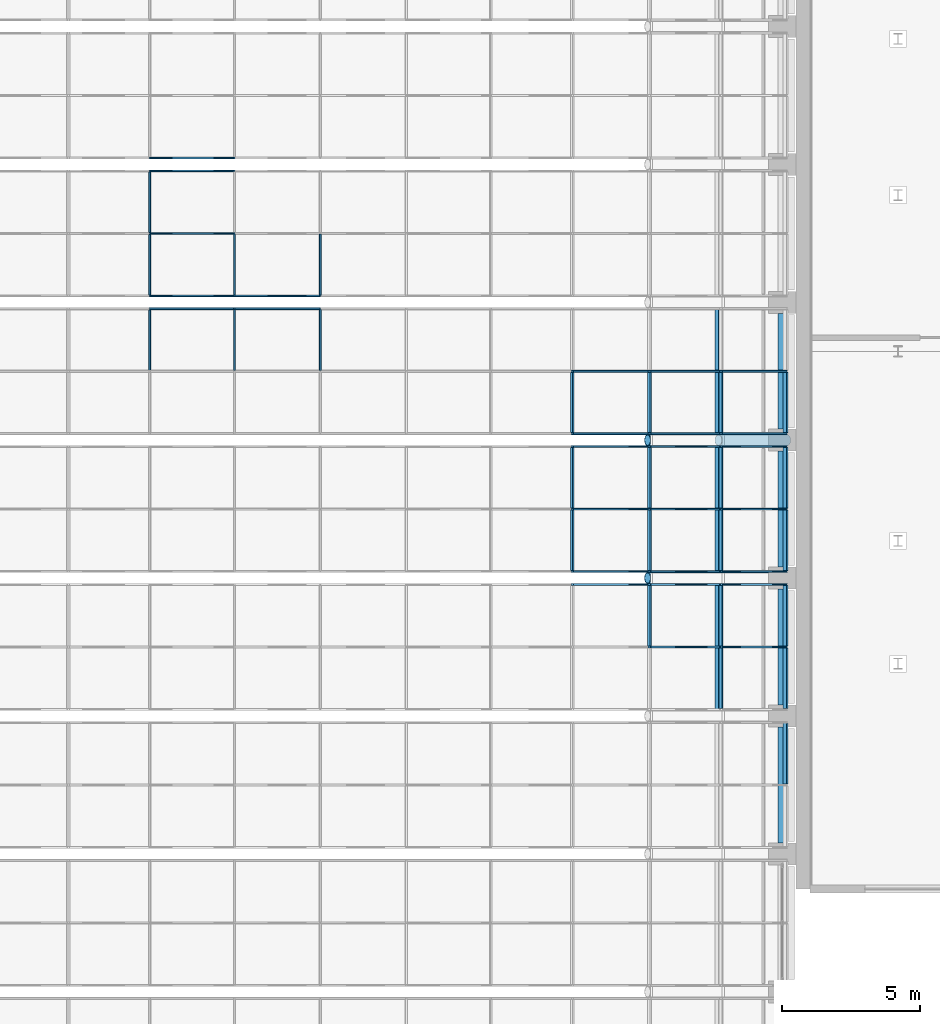
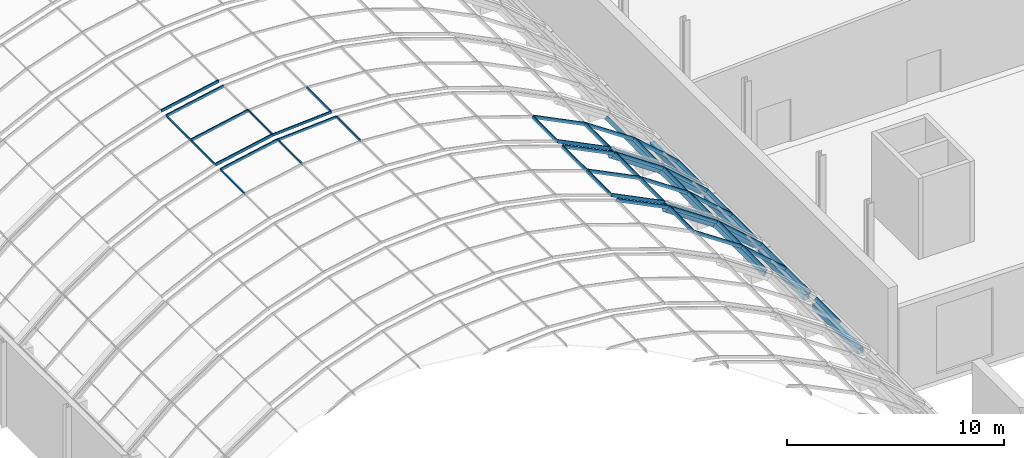
# One storey, part 75 of 182: 59 members, 4 beams, 6 elements without a shape of their own.
"""IFC4 building model written with IfcOpenShell, lengths in metres."""

from ifc_helpers import new_model, si_unit, direction, frame, origin, origin_2d, place, context, subcontext, project, spatial, rectangle, hollow_rectangle, hollow_circle, extrude, material, material_profile, profile_set, type_object, element, aggregate, save


model = new_model("IFC4")

# Units and contexts
model_context = context("Model", 3, precision=1e-05, world=origin(), true_north=direction((0.0, 1.0)))
body_context = subcontext(model_context, "Body", "Model", "MODEL_VIEW")
ifc_project = project(units=[si_unit("LENGTHUNIT", "METRE"), si_unit("AREAUNIT", "SQUARE_METRE"), si_unit("VOLUMEUNIT", "CUBIC_METRE"), si_unit("PLANEANGLEUNIT", "RADIAN"), si_unit("MASSUNIT", "GRAM", prefix="KILO")], contexts=[model_context])

# Site, building, storey
site_placement = place(None, origin())
site = spatial("IfcSite", under=ifc_project, at=site_placement, CompositionType="ELEMENT")
building_placement = place(site_placement, origin())
building = spatial("IfcBuilding", under=site, at=building_placement, Name="Okhra Congress Centre", CompositionType="ELEMENT")
storey_placement = place(building_placement, frame((0.0, 0.0, 7.199951171875)))
storey = spatial("IfcBuildingStorey", under=building, at=storey_placement, Name="L01", CompositionType="ELEMENT", Elevation=7.199951171875)

# Curtain wall, member
ifc_material_1 = material(Name="Aluminium frame with triple glazing", Category="aluminium")
curtain_wall_type = type_object("IfcCurtainWallType", Name="Glazed vault bay curtain wall", PredefinedType="NOTDEFINED", material=ifc_material_1)
curtain_wall_1_placement = place(storey_placement, origin())
curtain_wall_1 = element("IfcCurtainWall", 1, at=curtain_wall_1_placement, inside=storey, type_object=curtain_wall_type, Name="Vault glazing bay 19", PredefinedType="NOTDEFINED")
ifc_material_2 = material(Name="Aluminium alloy 6063", Category="aluminium")
ifc_material_profile_1 = material_profile(ifc_material_2, rectangle(XDim=0.06005859375, YDim=0.139892578125, at=origin_2d()), Name="AL 60x140")
ifc_profile_set_1 = profile_set([ifc_material_profile_1], Name="Aluminium alloy 6063")
member_type_1 = type_object("IfcMemberType", Name="Aluminium mullion 60x140", PredefinedType="MULLION", material=ifc_profile_set_1)
member_1_placement = place(storey_placement, frame((169.1337890625, 170.766845703125, 8.7392578125), z_axis=(0.997826129775, 0.0, 0.065901553385), x_axis=(0.0, 1.0, 0.0)))
member_1 = element("IfcMember", 2, at=member_1_placement, type_object=member_type_1, Name="Vault mullion 19.3.6", PredefinedType="MULLION", context=body_context, shape_type="SweptSolid", body=[
    extrude(rectangle(XDim=0.06005859375, YDim=0.139892578125, at=origin_2d()), origin(), (0.0, 0.0, 1.0), 3.123046875),
])

curtain_wall_2_placement = place(storey_placement, origin())
curtain_wall_2 = element("IfcCurtainWall", 3, at=curtain_wall_2_placement, inside=storey, type_object=curtain_wall_type, Name="Vault glazing bay 20", PredefinedType="NOTDEFINED")
member_2_placement = place(storey_placement, frame((169.1337890625, 171.233154296875, 8.7392578125), z_axis=(0.997826129775, 0.0, 0.065901553385), x_axis=(0.0, 1.0, 0.0)))
member_2 = element("IfcMember", 4, at=member_2_placement, type_object=member_type_1, Name="Vault mullion 20.1.6", PredefinedType="MULLION", context=body_context, shape_type="SweptSolid", body=[
    extrude(rectangle(XDim=0.06005859375, YDim=0.139892578125, at=origin_2d()), origin(), (0.0, 0.0, 1.0), 3.123046875),
])

# Member
ifc_material_profile_2 = material_profile(ifc_material_2, rectangle(XDim=0.06005859375, YDim=0.159912109375, at=origin_2d()), Name="AL 60x160")
ifc_profile_set_2 = profile_set([ifc_material_profile_2], Name="Aluminium alloy 6063")
member_type_2 = type_object("IfcMemberType", Name="Aluminium mullion 60x160", PredefinedType="MULLION", material=ifc_profile_set_2)
member_3_placement = place(storey_placement, frame((166.069091796875, 170.766845703125, 8.134765625), z_axis=(0.980484387086, 0.0, 0.196596965087), x_axis=(0.0, 1.0, 0.0)))
member_3 = element("IfcMember", 5, at=member_3_placement, type_object=member_type_2, Name="Vault mullion 19.3.5", PredefinedType="MULLION", context=body_context, shape_type="SweptSolid", body=[
    extrude(rectangle(XDim=0.06005859375, YDim=0.159912109375, at=origin_2d()), origin(), (0.0, 0.0, 1.0), 3.12451171875),
])

member_4_placement = place(storey_placement, frame((166.069091796875, 171.233154296875, 8.134765625), z_axis=(0.980484387086, 0.0, 0.196596965087), x_axis=(0.0, 1.0, 0.0)))
member_4 = element("IfcMember", 6, at=member_4_placement, type_object=member_type_2, Name="Vault mullion 20.1.5", PredefinedType="MULLION", context=body_context, shape_type="SweptSolid", body=[
    extrude(rectangle(XDim=0.06005859375, YDim=0.159912109375, at=origin_2d()), origin(), (0.0, 0.0, 1.0), 3.12451171875),
])

member_5_placement = place(storey_placement, frame((166.069091796875, 173.5, 8.134765625), z_axis=(0.980484387086, 0.0, 0.196596965087), x_axis=(0.0, 1.0, 0.0)))
member_5 = element("IfcMember", 7, at=member_5_placement, type_object=member_type_2, Name="Vault mullion 20.2.5", PredefinedType="MULLION", context=body_context, shape_type="SweptSolid", body=[
    extrude(rectangle(XDim=0.06005859375, YDim=0.159912109375, at=origin_2d()), origin(), (0.0, 0.0, 1.0), 3.12451171875),
])

member_6_placement = place(storey_placement, frame((166.069091796875, 175.766845703125, 8.134765625), z_axis=(0.980484387086, 0.0, 0.196596965087), x_axis=(0.0, 1.0, 0.0)))
member_6 = element("IfcMember", 8, at=member_6_placement, type_object=member_type_2, Name="Vault mullion 20.3.5", PredefinedType="MULLION", context=body_context, shape_type="SweptSolid", body=[
    extrude(rectangle(XDim=0.06005859375, YDim=0.159912109375, at=origin_2d()), origin(), (0.0, 0.0, 1.0), 3.12451171875),
])

# Curtain wall, member
curtain_wall_3_placement = place(storey_placement, origin())
curtain_wall_3 = element("IfcCurtainWall", 9, at=curtain_wall_3_placement, inside=storey, type_object=curtain_wall_type, Name="Vault glazing bay 21", PredefinedType="NOTDEFINED")
member_7_placement = place(storey_placement, frame((166.069091796875, 176.233154296875, 8.134765625), z_axis=(0.980484387086, 0.0, 0.196596965087), x_axis=(0.0, 1.0, 0.0)))
member_7 = element("IfcMember", 10, at=member_7_placement, type_object=member_type_2, Name="Vault mullion 21.1.5", PredefinedType="MULLION", context=body_context, shape_type="SweptSolid", body=[
    extrude(rectangle(XDim=0.06005859375, YDim=0.159912109375, at=origin_2d()), origin(), (0.0, 0.0, 1.0), 3.12451171875),
])
aggregate(curtain_wall_3, [member_7])

# Curtain wall, members
curtain_wall_4_placement = place(storey_placement, origin())
curtain_wall_4 = element("IfcCurtainWall", 11, at=curtain_wall_4_placement, inside=storey, type_object=curtain_wall_type, Name="Vault glazing bay 17", PredefinedType="NOTDEFINED")
ifc_material_profile_3 = material_profile(ifc_material_2, rectangle(XDim=0.06005859375, YDim=0.179931640625, at=origin_2d()), Name="AL 60x180")
ifc_profile_set_3 = profile_set([ifc_material_profile_3], Name="Aluminium alloy 6063")
member_type_3 = type_object("IfcMemberType", Name="Aluminium mullion 60x180", PredefinedType="MULLION", material=ifc_profile_set_3)
member_8_placement = place(storey_placement, frame((184.188720703125, 158.5, 5.7392578125), z_axis=(0.828827846338, 0.0, -0.559503709671), x_axis=(0.0, 1.0, 0.0)))
member_8 = element("IfcMember", 12, at=member_8_placement, type_object=member_type_3, Name="Vault mullion 17.2.11", PredefinedType="MULLION", context=body_context, shape_type="SweptSolid", body=[
    extrude(rectangle(XDim=0.06005859375, YDim=0.179931640625, at=origin_2d()), origin(), (0.0, 0.0, 1.0), 3.12548828125),
])
member_9_placement = place(storey_placement, frame((186.779296875, 158.5, 3.990478515625), z_axis=(0.748025229923, 0.0, -0.663670291183), x_axis=(0.0, 1.0, 0.0)))
member_9 = element("IfcMember", 13, at=member_9_placement, type_object=member_type_3, Name="Vault mullion 17.2.12", PredefinedType="MULLION", context=body_context, shape_type="SweptSolid", body=[
    extrude(rectangle(XDim=0.06005859375, YDim=0.179931640625, at=origin_2d()), origin(), (0.0, 0.0, 1.0), 3.125732421875),
])
member_10_placement = place(storey_placement, frame((181.390625, 160.766845703125, 7.1318359375), z_axis=(0.895253656313, 0.0, -0.445556832354), x_axis=(0.0, 1.0, 0.0)))
member_10 = element("IfcMember", 14, at=member_10_placement, type_object=member_type_3, Name="Vault mullion 17.3.10", PredefinedType="MULLION", context=body_context, shape_type="SweptSolid", body=[
    extrude(rectangle(XDim=0.06005859375, YDim=0.179931640625, at=origin_2d()), origin(), (0.0, 0.0, 1.0), 3.12548828125),
])
member_11_placement = place(storey_placement, frame((184.188720703125, 160.766845703125, 5.7392578125), z_axis=(0.828827846338, 0.0, -0.559503709671), x_axis=(0.0, 1.0, 0.0)))
member_11 = element("IfcMember", 15, at=member_11_placement, type_object=member_type_3, Name="Vault mullion 17.3.11", PredefinedType="MULLION", context=body_context, shape_type="SweptSolid", body=[
    extrude(rectangle(XDim=0.06005859375, YDim=0.179931640625, at=origin_2d()), origin(), (0.0, 0.0, 1.0), 3.12548828125),
])
member_12_placement = place(storey_placement, frame((186.779296875, 160.766845703125, 3.990478515625), z_axis=(0.748025229923, 0.0, -0.663670291183), x_axis=(0.0, 1.0, 0.0)))
member_12 = element("IfcMember", 16, at=member_12_placement, type_object=member_type_3, Name="Vault mullion 17.3.12", PredefinedType="MULLION", context=body_context, shape_type="SweptSolid", body=[
    extrude(rectangle(XDim=0.06005859375, YDim=0.179931640625, at=origin_2d()), origin(), (0.0, 0.0, 1.0), 3.125732421875),
])

curtain_wall_5_placement = place(storey_placement, origin())
curtain_wall_5 = element("IfcCurtainWall", 17, at=curtain_wall_5_placement, inside=storey, type_object=curtain_wall_type, Name="Vault glazing bay 18", PredefinedType="NOTDEFINED")
member_13_placement = place(storey_placement, frame((181.390625, 161.233154296875, 7.1318359375), z_axis=(0.895253656313, 0.0, -0.445556832354), x_axis=(0.0, 1.0, 0.0)))
member_13 = element("IfcMember", 18, at=member_13_placement, type_object=member_type_3, Name="Vault mullion 18.1.10", PredefinedType="MULLION", context=body_context, shape_type="SweptSolid", body=[
    extrude(rectangle(XDim=0.06005859375, YDim=0.179931640625, at=origin_2d()), origin(), (0.0, 0.0, 1.0), 3.12548828125),
])
member_14_placement = place(storey_placement, frame((184.188720703125, 161.233154296875, 5.7392578125), z_axis=(0.828827846338, 0.0, -0.559503709671), x_axis=(0.0, 1.0, 0.0)))
member_14 = element("IfcMember", 19, at=member_14_placement, type_object=member_type_3, Name="Vault mullion 18.1.11", PredefinedType="MULLION", context=body_context, shape_type="SweptSolid", body=[
    extrude(rectangle(XDim=0.06005859375, YDim=0.179931640625, at=origin_2d()), origin(), (0.0, 0.0, 1.0), 3.12548828125),
])
member_15_placement = place(storey_placement, frame((186.779296875, 161.233154296875, 3.990478515625), z_axis=(0.748025229923, 0.0, -0.663670291183), x_axis=(0.0, 1.0, 0.0)))
member_15 = element("IfcMember", 20, at=member_15_placement, type_object=member_type_3, Name="Vault mullion 18.1.12", PredefinedType="MULLION", context=body_context, shape_type="SweptSolid", body=[
    extrude(rectangle(XDim=0.06005859375, YDim=0.179931640625, at=origin_2d()), origin(), (0.0, 0.0, 1.0), 3.125732421875),
])
member_16_placement = place(storey_placement, frame((181.390625, 163.5, 7.1318359375), z_axis=(0.895253656313, 0.0, -0.445556832354), x_axis=(0.0, 1.0, 0.0)))
member_16 = element("IfcMember", 21, at=member_16_placement, type_object=member_type_3, Name="Vault mullion 18.2.10", PredefinedType="MULLION", context=body_context, shape_type="SweptSolid", body=[
    extrude(rectangle(XDim=0.06005859375, YDim=0.179931640625, at=origin_2d()), origin(), (0.0, 0.0, 1.0), 3.12548828125),
])
member_17_placement = place(storey_placement, frame((184.188720703125, 163.5, 5.7392578125), z_axis=(0.828827846338, 0.0, -0.559503709671), x_axis=(0.0, 1.0, 0.0)))
member_17 = element("IfcMember", 22, at=member_17_placement, type_object=member_type_3, Name="Vault mullion 18.2.11", PredefinedType="MULLION", context=body_context, shape_type="SweptSolid", body=[
    extrude(rectangle(XDim=0.06005859375, YDim=0.179931640625, at=origin_2d()), origin(), (0.0, 0.0, 1.0), 3.12548828125),
])
member_18_placement = place(storey_placement, frame((186.779296875, 163.5, 3.990478515625), z_axis=(0.748025229923, 0.0, -0.663670291183), x_axis=(0.0, 1.0, 0.0)))
member_18 = element("IfcMember", 23, at=member_18_placement, type_object=member_type_3, Name="Vault mullion 18.2.12", PredefinedType="MULLION", context=body_context, shape_type="SweptSolid", body=[
    extrude(rectangle(XDim=0.06005859375, YDim=0.179931640625, at=origin_2d()), origin(), (0.0, 0.0, 1.0), 3.125732421875),
])
member_19_placement = place(storey_placement, frame((181.390625, 165.766845703125, 7.1318359375), z_axis=(0.895253656313, 0.0, -0.445556832354), x_axis=(0.0, 1.0, 0.0)))
member_19 = element("IfcMember", 24, at=member_19_placement, type_object=member_type_3, Name="Vault mullion 18.3.10", PredefinedType="MULLION", context=body_context, shape_type="SweptSolid", body=[
    extrude(rectangle(XDim=0.06005859375, YDim=0.179931640625, at=origin_2d()), origin(), (0.0, 0.0, 1.0), 3.12548828125),
])
member_20_placement = place(storey_placement, frame((184.188720703125, 165.766845703125, 5.7392578125), z_axis=(0.828827846338, 0.0, -0.559503709671), x_axis=(0.0, 1.0, 0.0)))
member_20 = element("IfcMember", 25, at=member_20_placement, type_object=member_type_3, Name="Vault mullion 18.3.11", PredefinedType="MULLION", context=body_context, shape_type="SweptSolid", body=[
    extrude(rectangle(XDim=0.06005859375, YDim=0.179931640625, at=origin_2d()), origin(), (0.0, 0.0, 1.0), 3.12548828125),
])
member_21_placement = place(storey_placement, frame((186.779296875, 165.766845703125, 3.990478515625), z_axis=(0.748025229923, 0.0, -0.663670291183), x_axis=(0.0, 1.0, 0.0)))
member_21 = element("IfcMember", 26, at=member_21_placement, type_object=member_type_3, Name="Vault mullion 18.3.12", PredefinedType="MULLION", context=body_context, shape_type="SweptSolid", body=[
    extrude(rectangle(XDim=0.06005859375, YDim=0.179931640625, at=origin_2d()), origin(), (0.0, 0.0, 1.0), 3.125732421875),
])

# Member
member_22_placement = place(storey_placement, frame((181.390625, 166.233154296875, 7.1318359375), z_axis=(0.895253656313, 0.0, -0.445556832354), x_axis=(0.0, 1.0, 0.0)))
member_22 = element("IfcMember", 27, at=member_22_placement, type_object=member_type_3, Name="Vault mullion 19.1.10", PredefinedType="MULLION", context=body_context, shape_type="SweptSolid", body=[
    extrude(rectangle(XDim=0.06005859375, YDim=0.179931640625, at=origin_2d()), origin(), (0.0, 0.0, 1.0), 3.12548828125),
])

member_23_placement = place(storey_placement, frame((184.188720703125, 166.233154296875, 5.7392578125), z_axis=(0.828827846338, 0.0, -0.559503709671), x_axis=(0.0, 1.0, 0.0)))
member_23 = element("IfcMember", 28, at=member_23_placement, type_object=member_type_3, Name="Vault mullion 19.1.11", PredefinedType="MULLION", context=body_context, shape_type="SweptSolid", body=[
    extrude(rectangle(XDim=0.06005859375, YDim=0.179931640625, at=origin_2d()), origin(), (0.0, 0.0, 1.0), 3.12548828125),
])

member_24_placement = place(storey_placement, frame((186.779296875, 166.233154296875, 3.990478515625), z_axis=(0.748025229923, 0.0, -0.663670291183), x_axis=(0.0, 1.0, 0.0)))
member_24 = element("IfcMember", 29, at=member_24_placement, type_object=member_type_3, Name="Vault mullion 19.1.12", PredefinedType="MULLION", context=body_context, shape_type="SweptSolid", body=[
    extrude(rectangle(XDim=0.06005859375, YDim=0.179931640625, at=origin_2d()), origin(), (0.0, 0.0, 1.0), 3.125732421875),
])

member_25_placement = place(storey_placement, frame((181.390625, 168.5, 7.1318359375), z_axis=(0.895253656313, 0.0, -0.445556832354), x_axis=(0.0, 1.0, 0.0)))
member_25 = element("IfcMember", 30, at=member_25_placement, type_object=member_type_3, Name="Vault mullion 19.2.10", PredefinedType="MULLION", context=body_context, shape_type="SweptSolid", body=[
    extrude(rectangle(XDim=0.06005859375, YDim=0.179931640625, at=origin_2d()), origin(), (0.0, 0.0, 1.0), 3.12548828125),
])

member_26_placement = place(storey_placement, frame((184.188720703125, 168.5, 5.7392578125), z_axis=(0.828827846338, 0.0, -0.559503709671), x_axis=(0.0, 1.0, 0.0)))
member_26 = element("IfcMember", 31, at=member_26_placement, type_object=member_type_3, Name="Vault mullion 19.2.11", PredefinedType="MULLION", context=body_context, shape_type="SweptSolid", body=[
    extrude(rectangle(XDim=0.06005859375, YDim=0.179931640625, at=origin_2d()), origin(), (0.0, 0.0, 1.0), 3.12548828125),
])

member_27_placement = place(storey_placement, frame((186.779296875, 168.5, 3.990478515625), z_axis=(0.748025229923, 0.0, -0.663670291183), x_axis=(0.0, 1.0, 0.0)))
member_27 = element("IfcMember", 32, at=member_27_placement, type_object=member_type_3, Name="Vault mullion 19.2.12", PredefinedType="MULLION", context=body_context, shape_type="SweptSolid", body=[
    extrude(rectangle(XDim=0.06005859375, YDim=0.179931640625, at=origin_2d()), origin(), (0.0, 0.0, 1.0), 3.125732421875),
])

ifc_material_profile_4 = material_profile(ifc_material_2, rectangle(XDim=0.06005859375, YDim=0.139892578125, at=origin_2d()), Name="AL 60x140 transom")
ifc_profile_set_4 = profile_set([ifc_material_profile_4], Name="Aluminium alloy 6063")
member_type_4 = type_object("IfcMemberType", Name="Aluminium transom 60x140", PredefinedType="USERDEFINED", material=ifc_profile_set_4)
member_28_placement = place(storey_placement, frame((169.1337890625, 168.530029296875, 8.7392578125), z_axis=(0.0, 1.0, 0.0), x_axis=(-0.991307202734, 0.0, -0.131567586459)))
member_28 = element("IfcMember", 33, at=member_28_placement, type_object=member_type_4, Name="Vault transom 19.2.6", ObjectType="TRANSOM", PredefinedType="USERDEFINED", context=body_context, shape_type="SweptSolid", body=[
    extrude(rectangle(XDim=0.06005859375, YDim=0.139892578125, at=origin_2d()), origin(), (0.0, 0.0, 1.0), 2.206787109375),
])

member_29_placement = place(storey_placement, frame((172.25, 168.530029296875, 8.945068359375), z_axis=(0.0, 1.0, 0.0), x_axis=(-1.0, 0.0, 0.0)))
member_29 = element("IfcMember", 34, at=member_29_placement, type_object=member_type_4, Name="Vault transom 19.2.7", ObjectType="TRANSOM", PredefinedType="USERDEFINED", context=body_context, shape_type="SweptSolid", body=[
    extrude(rectangle(XDim=0.06005859375, YDim=0.139892578125, at=origin_2d()), origin(), (0.0, 0.0, 1.0), 2.206787109375),
])

member_30_placement = place(storey_placement, frame((169.1337890625, 171.26318359375, 8.7392578125), z_axis=(0.0, 1.0, 0.0), x_axis=(-0.991307202734, 0.0, -0.131567586459)))
member_30 = element("IfcMember", 35, at=member_30_placement, type_object=member_type_4, Name="Vault transom 20.1.6", ObjectType="TRANSOM", PredefinedType="USERDEFINED", context=body_context, shape_type="SweptSolid", body=[
    extrude(rectangle(XDim=0.06005859375, YDim=0.139892578125, at=origin_2d()), origin(), (0.0, 0.0, 1.0), 2.206787109375),
])

member_31_placement = place(storey_placement, frame((172.25, 171.26318359375, 8.945068359375), z_axis=(0.0, 1.0, 0.0), x_axis=(-1.0, 0.0, 0.0)))
member_31 = element("IfcMember", 36, at=member_31_placement, type_object=member_type_4, Name="Vault transom 20.1.7", ObjectType="TRANSOM", PredefinedType="USERDEFINED", context=body_context, shape_type="SweptSolid", body=[
    extrude(rectangle(XDim=0.06005859375, YDim=0.139892578125, at=origin_2d()), origin(), (0.0, 0.0, 1.0), 2.206787109375),
])

ifc_material_profile_5 = material_profile(ifc_material_2, rectangle(XDim=0.06005859375, YDim=0.159912109375, at=origin_2d()), Name="AL 60x160 transom")
ifc_profile_set_5 = profile_set([ifc_material_profile_5], Name="Aluminium alloy 6063")
member_type_5 = type_object("IfcMemberType", Name="Aluminium transom 60x160", PredefinedType="USERDEFINED", material=ifc_profile_set_5)
member_32_placement = place(storey_placement, frame((181.38671875, 161.26318359375, 7.12255859375), z_axis=(0.0, 1.0, 0.0), x_axis=(-0.922668973833, 0.0, 0.38559300399)))
member_32 = element("IfcMember", 37, at=member_32_placement, type_object=member_type_5, Name="Vault transom 18.1.10", ObjectType="TRANSOM", PredefinedType="USERDEFINED", context=body_context, shape_type="SweptSolid", body=[
    extrude(rectangle(XDim=0.06005859375, YDim=0.159912109375, at=origin_2d()), origin(), (0.0, 0.0, 1.0), 2.206787109375),
])

member_33_placement = place(storey_placement, frame((181.38671875, 163.530029296875, 7.12255859375), z_axis=(0.0, 1.0, 0.0), x_axis=(-0.922668973833, 0.0, 0.38559300399)))
member_33 = element("IfcMember", 38, at=member_33_placement, type_object=member_type_5, Name="Vault transom 18.2.10", ObjectType="TRANSOM", PredefinedType="USERDEFINED", context=body_context, shape_type="SweptSolid", body=[
    extrude(rectangle(XDim=0.06005859375, YDim=0.159912109375, at=origin_2d()), origin(), (0.0, 0.0, 1.0), 2.206787109375),
])

member_34_placement = place(storey_placement, frame((181.38671875, 166.26318359375, 7.12255859375), z_axis=(0.0, 1.0, 0.0), x_axis=(-0.922668973833, 0.0, 0.38559300399)))
member_34 = element("IfcMember", 39, at=member_34_placement, type_object=member_type_5, Name="Vault transom 19.1.10", ObjectType="TRANSOM", PredefinedType="USERDEFINED", context=body_context, shape_type="SweptSolid", body=[
    extrude(rectangle(XDim=0.06005859375, YDim=0.159912109375, at=origin_2d()), origin(), (0.0, 0.0, 1.0), 2.206787109375),
])

member_35_placement = place(storey_placement, frame((166.069091796875, 168.530029296875, 8.134765625), z_axis=(0.0, 1.0, 0.0), x_axis=(-0.965379940391, 0.0, -0.260847792191)))
member_35 = element("IfcMember", 40, at=member_35_placement, type_object=member_type_5, Name="Vault transom 19.2.5", ObjectType="TRANSOM", PredefinedType="USERDEFINED", context=body_context, shape_type="SweptSolid", body=[
    extrude(rectangle(XDim=0.06005859375, YDim=0.159912109375, at=origin_2d()), origin(), (0.0, 0.0, 1.0), 2.206787109375),
])

member_36_placement = place(storey_placement, frame((166.069091796875, 171.26318359375, 8.134765625), z_axis=(0.0, 1.0, 0.0), x_axis=(-0.965379940391, 0.0, -0.260847792191)))
member_36 = element("IfcMember", 41, at=member_36_placement, type_object=member_type_5, Name="Vault transom 20.1.5", ObjectType="TRANSOM", PredefinedType="USERDEFINED", context=body_context, shape_type="SweptSolid", body=[
    extrude(rectangle(XDim=0.06005859375, YDim=0.159912109375, at=origin_2d()), origin(), (0.0, 0.0, 1.0), 2.206787109375),
])

member_37_placement = place(storey_placement, frame((166.069091796875, 173.530029296875, 8.134765625), z_axis=(0.0, 1.0, 0.0), x_axis=(-0.965379940391, 0.0, -0.260847792191)))
member_37 = element("IfcMember", 42, at=member_37_placement, type_object=member_type_5, Name="Vault transom 20.2.5", ObjectType="TRANSOM", PredefinedType="USERDEFINED", context=body_context, shape_type="SweptSolid", body=[
    extrude(rectangle(XDim=0.06005859375, YDim=0.159912109375, at=origin_2d()), origin(), (0.0, 0.0, 1.0), 2.206787109375),
])

aggregate(curtain_wall_2, [member_4, member_2, member_5, member_6, member_36, member_30, member_31, member_37])

# Curtain wall, member
curtain_wall_6_placement = place(storey_placement, origin())
curtain_wall_6 = element("IfcCurtainWall", 43, at=curtain_wall_6_placement, inside=storey, type_object=curtain_wall_type, Name="Vault glazing bay 16", PredefinedType="NOTDEFINED")
ifc_material_profile_6 = material_profile(ifc_material_2, rectangle(XDim=0.06005859375, YDim=0.179931640625, at=origin_2d()), Name="AL 60x180 transom")
ifc_profile_set_6 = profile_set([ifc_material_profile_6], Name="Aluminium alloy 6063")
member_type_6 = type_object("IfcMemberType", Name="Aluminium transom 60x180", PredefinedType="USERDEFINED", material=ifc_profile_set_6)
member_38_placement = place(storey_placement, frame((189.117431640625, 153.530029296875, 1.916015625), z_axis=(0.0, 1.0, 0.0), x_axis=(-0.702636070549, 0.0, 0.711549402616)))
member_38 = element("IfcMember", 44, at=member_38_placement, type_object=member_type_6, Name="Vault transom 16.2.13", ObjectType="TRANSOM", PredefinedType="USERDEFINED", context=body_context, shape_type="SweptSolid", body=[
    extrude(rectangle(XDim=0.06005859375, YDim=0.179931640625, at=origin_2d()), origin(), (0.0, 0.0, 1.0), 2.206787109375),
])
aggregate(curtain_wall_6, [member_38])

# Member
member_39_placement = place(storey_placement, frame((186.779296875, 156.26318359375, 3.990478515625), z_axis=(0.0, 1.0, 0.0), x_axis=(-0.790145035185, 0.0, 0.612919915954)))
member_39 = element("IfcMember", 45, at=member_39_placement, type_object=member_type_6, Name="Vault transom 17.1.12", ObjectType="TRANSOM", PredefinedType="USERDEFINED", context=body_context, shape_type="SweptSolid", body=[
    extrude(rectangle(XDim=0.06005859375, YDim=0.179931640625, at=origin_2d()), origin(), (0.0, 0.0, 1.0), 2.206787109375),
])

member_40_placement = place(storey_placement, frame((189.117431640625, 156.26318359375, 1.916015625), z_axis=(0.0, 1.0, 0.0), x_axis=(-0.702636070549, 0.0, 0.711549402616)))
member_40 = element("IfcMember", 46, at=member_40_placement, type_object=member_type_6, Name="Vault transom 17.1.13", ObjectType="TRANSOM", PredefinedType="USERDEFINED", context=body_context, shape_type="SweptSolid", body=[
    extrude(rectangle(XDim=0.06005859375, YDim=0.179931640625, at=origin_2d()), origin(), (0.0, 0.0, 1.0), 2.206787109375),
])

member_41_placement = place(storey_placement, frame((184.188720703125, 158.530029296875, 5.7392578125), z_axis=(0.0, 1.0, 0.0), x_axis=(-0.86391685861, 0.0, 0.503634452167)))
member_41 = element("IfcMember", 47, at=member_41_placement, type_object=member_type_6, Name="Vault transom 17.2.11", ObjectType="TRANSOM", PredefinedType="USERDEFINED", context=body_context, shape_type="SweptSolid", body=[
    extrude(rectangle(XDim=0.06005859375, YDim=0.179931640625, at=origin_2d()), origin(), (0.0, 0.0, 1.0), 2.206787109375),
])

member_42_placement = place(storey_placement, frame((186.779296875, 158.530029296875, 3.990478515625), z_axis=(0.0, 1.0, 0.0), x_axis=(-0.790145035185, 0.0, 0.612919915954)))
member_42 = element("IfcMember", 48, at=member_42_placement, type_object=member_type_6, Name="Vault transom 17.2.12", ObjectType="TRANSOM", PredefinedType="USERDEFINED", context=body_context, shape_type="SweptSolid", body=[
    extrude(rectangle(XDim=0.06005859375, YDim=0.179931640625, at=origin_2d()), origin(), (0.0, 0.0, 1.0), 2.206787109375),
])

member_43_placement = place(storey_placement, frame((189.117431640625, 158.530029296875, 1.916015625), z_axis=(0.0, 1.0, 0.0), x_axis=(-0.702636070549, 0.0, 0.711549402616)))
member_43 = element("IfcMember", 49, at=member_43_placement, type_object=member_type_6, Name="Vault transom 17.2.13", ObjectType="TRANSOM", PredefinedType="USERDEFINED", context=body_context, shape_type="SweptSolid", body=[
    extrude(rectangle(XDim=0.06005859375, YDim=0.179931640625, at=origin_2d()), origin(), (0.0, 0.0, 1.0), 2.206787109375),
])

aggregate(curtain_wall_4, [member_8, member_9, member_10, member_11, member_12, member_39, member_40, member_41, member_42, member_43])

member_44_placement = place(storey_placement, frame((184.188720703125, 161.26318359375, 5.7392578125), z_axis=(0.0, 1.0, 0.0), x_axis=(-0.86391685861, 0.0, 0.503634452167)))
member_44 = element("IfcMember", 50, at=member_44_placement, type_object=member_type_6, Name="Vault transom 18.1.11", ObjectType="TRANSOM", PredefinedType="USERDEFINED", context=body_context, shape_type="SweptSolid", body=[
    extrude(rectangle(XDim=0.06005859375, YDim=0.179931640625, at=origin_2d()), origin(), (0.0, 0.0, 1.0), 2.206787109375),
])

member_45_placement = place(storey_placement, frame((186.779296875, 161.26318359375, 3.990478515625), z_axis=(0.0, 1.0, 0.0), x_axis=(-0.790145035185, 0.0, 0.612919915954)))
member_45 = element("IfcMember", 51, at=member_45_placement, type_object=member_type_6, Name="Vault transom 18.1.12", ObjectType="TRANSOM", PredefinedType="USERDEFINED", context=body_context, shape_type="SweptSolid", body=[
    extrude(rectangle(XDim=0.06005859375, YDim=0.179931640625, at=origin_2d()), origin(), (0.0, 0.0, 1.0), 2.206787109375),
])

member_46_placement = place(storey_placement, frame((189.117431640625, 161.26318359375, 1.916015625), z_axis=(0.0, 1.0, 0.0), x_axis=(-0.702636070549, 0.0, 0.711549402616)))
member_46 = element("IfcMember", 52, at=member_46_placement, type_object=member_type_6, Name="Vault transom 18.1.13", ObjectType="TRANSOM", PredefinedType="USERDEFINED", context=body_context, shape_type="SweptSolid", body=[
    extrude(rectangle(XDim=0.06005859375, YDim=0.179931640625, at=origin_2d()), origin(), (0.0, 0.0, 1.0), 2.206787109375),
])

member_47_placement = place(storey_placement, frame((184.188720703125, 163.530029296875, 5.7392578125), z_axis=(0.0, 1.0, 0.0), x_axis=(-0.86391685861, 0.0, 0.503634452167)))
member_47 = element("IfcMember", 53, at=member_47_placement, type_object=member_type_6, Name="Vault transom 18.2.11", ObjectType="TRANSOM", PredefinedType="USERDEFINED", context=body_context, shape_type="SweptSolid", body=[
    extrude(rectangle(XDim=0.06005859375, YDim=0.179931640625, at=origin_2d()), origin(), (0.0, 0.0, 1.0), 2.206787109375),
])

member_48_placement = place(storey_placement, frame((186.779296875, 163.530029296875, 3.990478515625), z_axis=(0.0, 1.0, 0.0), x_axis=(-0.790145035185, 0.0, 0.612919915954)))
member_48 = element("IfcMember", 54, at=member_48_placement, type_object=member_type_6, Name="Vault transom 18.2.12", ObjectType="TRANSOM", PredefinedType="USERDEFINED", context=body_context, shape_type="SweptSolid", body=[
    extrude(rectangle(XDim=0.06005859375, YDim=0.179931640625, at=origin_2d()), origin(), (0.0, 0.0, 1.0), 2.206787109375),
])

member_49_placement = place(storey_placement, frame((189.117431640625, 163.530029296875, 1.916015625), z_axis=(0.0, 1.0, 0.0), x_axis=(-0.702636070549, 0.0, 0.711549402616)))
member_49 = element("IfcMember", 55, at=member_49_placement, type_object=member_type_6, Name="Vault transom 18.2.13", ObjectType="TRANSOM", PredefinedType="USERDEFINED", context=body_context, shape_type="SweptSolid", body=[
    extrude(rectangle(XDim=0.06005859375, YDim=0.179931640625, at=origin_2d()), origin(), (0.0, 0.0, 1.0), 2.206787109375),
])

aggregate(curtain_wall_5, [member_13, member_14, member_15, member_16, member_17, member_18, member_19, member_20, member_21, member_32, member_44, member_45, member_46, member_33, member_47, member_48, member_49])

member_50_placement = place(storey_placement, frame((184.188720703125, 166.26318359375, 5.7392578125), z_axis=(0.0, 1.0, 0.0), x_axis=(-0.86391685861, 0.0, 0.503634452167)))
member_50 = element("IfcMember", 56, at=member_50_placement, type_object=member_type_6, Name="Vault transom 19.1.11", ObjectType="TRANSOM", PredefinedType="USERDEFINED", context=body_context, shape_type="SweptSolid", body=[
    extrude(rectangle(XDim=0.06005859375, YDim=0.179931640625, at=origin_2d()), origin(), (0.0, 0.0, 1.0), 2.206787109375),
])

member_51_placement = place(storey_placement, frame((186.779296875, 166.26318359375, 3.990478515625), z_axis=(0.0, 1.0, 0.0), x_axis=(-0.790145035185, 0.0, 0.612919915954)))
member_51 = element("IfcMember", 57, at=member_51_placement, type_object=member_type_6, Name="Vault transom 19.1.12", ObjectType="TRANSOM", PredefinedType="USERDEFINED", context=body_context, shape_type="SweptSolid", body=[
    extrude(rectangle(XDim=0.06005859375, YDim=0.179931640625, at=origin_2d()), origin(), (0.0, 0.0, 1.0), 2.206787109375),
])

member_52_placement = place(storey_placement, frame((189.117431640625, 166.26318359375, 1.916015625), z_axis=(0.0, 1.0, 0.0), x_axis=(-0.702636070549, 0.0, 0.711549402616)))
member_52 = element("IfcMember", 58, at=member_52_placement, type_object=member_type_6, Name="Vault transom 19.1.13", ObjectType="TRANSOM", PredefinedType="USERDEFINED", context=body_context, shape_type="SweptSolid", body=[
    extrude(rectangle(XDim=0.06005859375, YDim=0.179931640625, at=origin_2d()), origin(), (0.0, 0.0, 1.0), 2.206787109375),
])

aggregate(curtain_wall_1, [member_22, member_23, member_24, member_25, member_26, member_27, member_3, member_1, member_34, member_50, member_51, member_52, member_35, member_28, member_29])

# Beams
ifc_material_3 = material(Name="Steel S355J2", Category="steel")
ifc_material_profile_7 = material_profile(ifc_material_3, hollow_rectangle(XDim=0.300048828125, YDim=0.300048828125, WallThickness=0.012451171875, at=origin_2d()), Name="RHS 300x300x12.5")
ifc_profile_set_7 = profile_set([ifc_material_profile_7], Name="Steel S355J2")
beam_type = type_object("IfcBeamType", Name="Steel eaves beam RHS 300x300x12.5", PredefinedType="BEAM", material=ifc_profile_set_7)
for number, where, z_axis, x_axis, name in (
    (59, (189.0, 151.39990234375, 1.650146484375), (0.0, 1.0, 0.0), (-1.0, 0.0, 0.0), "Eaves beam E16"),
    (60, (189.0, 156.39990234375, 1.650146484375), (0.0, 1.0, 0.0), (-1.0, 0.0, 0.0), "Eaves beam E17"),
    (61, (189.0, 161.39990234375, 1.650146484375), (0.0, 1.0, 0.0), (-1.0, 0.0, 0.0), "Eaves beam E18"),
    (62, (189.0, 166.39990234375, 1.650146484375), (0.0, 1.0, 0.0), (-1.0, 0.0, 0.0), "Eaves beam E19"),
):
    element("IfcBeam", number, at=place(storey_placement, frame(where, z_axis=z_axis, x_axis=x_axis)), inside=storey, type_object=beam_type, Name=name, PredefinedType="BEAM", context=body_context, shape_type="SweptSolid", body=[
        extrude(hollow_rectangle(XDim=0.300048828125, YDim=0.300048828125, WallThickness=0.012451171875, at=origin_2d()), origin(), (0.0, 0.0, 1.0), 4.2001953125),
    ])

# Members
ifc_material_profile_8 = material_profile(ifc_material_3, hollow_rectangle(XDim=0.10009765625, YDim=0.199951171875, WallThickness=0.008056640625, at=origin_2d()), Name="RHS 200x100x8")
ifc_profile_set_8 = profile_set([ifc_material_profile_8], Name="Steel S355J2")
member_type_7 = type_object("IfcMemberType", Name="Steel purlin RHS 200x100x8", PredefinedType="PURLIN", material=ifc_profile_set_8)
for number, where, z_axis, x_axis, name in (
    (63, (186.662841796875, 156.203125, 3.84033203125), (0.0, 1.0, 0.0), (-0.790145035185, 0.0, 0.612919915954), "Vault purlin 17.11"),
    (64, (186.662841796875, 161.203125, 3.84033203125), (0.0, 1.0, 0.0), (-0.790145035185, 0.0, 0.612919915954), "Vault purlin 18.11"),
    (65, (186.662841796875, 166.203125, 3.84033203125), (0.0, 1.0, 0.0), (-0.790145035185, 0.0, 0.612919915954), "Vault purlin 19.11"),
):
    element("IfcMember", number, at=place(storey_placement, frame(where, z_axis=z_axis, x_axis=x_axis)), inside=storey, type_object=member_type_7, Name=name, PredefinedType="PURLIN", context=body_context, shape_type="SweptSolid", body=[
        extrude(hollow_rectangle(XDim=0.10009765625, YDim=0.199951171875, WallThickness=0.008056640625, at=origin_2d()), origin(), (0.0, 0.0, 1.0), 4.59375),
    ])
ifc_material_profile_9 = material_profile(ifc_material_3, hollow_circle(Radius=0.203125, WallThickness=0.01611328125, at=origin_2d()), Name="CHS 406.4x16")
ifc_profile_set_9 = profile_set([ifc_material_profile_9], Name="Steel S355J2")
member_type_8 = type_object("IfcMemberType", Name="Tubular steel arch rib CHS 406x16", PredefinedType="USERDEFINED", material=ifc_profile_set_9)
member_53_placement = place(storey_placement, frame((184.116943359375, 161.0, 5.589111328125), z_axis=(0.82882567543, 0.0, -0.559506925558), x_axis=(0.0, 1.0, 0.0)))
element("IfcMember", 66, at=member_53_placement, inside=storey, type_object=member_type_8, Name="Arch rib 18.11", ObjectType="Arch rib", PredefinedType="USERDEFINED", context=body_context, shape_type="SweptSolid", body=[
    extrude(hollow_circle(Radius=0.203125, WallThickness=0.01611328125, at=origin_2d()), origin(), (0.0, 0.0, 1.0), 3.07666015625),
])
member_54_placement = place(storey_placement, frame((186.6884765625, 161.0, 3.85107421875), z_axis=(0.74799336374, 0.0, -0.663706205938), x_axis=(0.0, 1.0, 0.0)))
element("IfcMember", 67, at=member_54_placement, inside=storey, type_object=member_type_8, Name="Arch rib 18.12", ObjectType="Arch rib", PredefinedType="USERDEFINED", context=body_context, shape_type="SweptSolid", body=[
    extrude(hollow_circle(Radius=0.203125, WallThickness=0.01611328125, at=origin_2d()), origin(), (0.0, 0.0, 1.0), 3.3193359375),
])
member_55_placement = place(storey_placement, frame((184.116943359375, 166.0, 5.589111328125), z_axis=(0.82882567543, 0.0, -0.559506925558), x_axis=(0.0, 1.0, 0.0)))
element("IfcMember", 68, at=member_55_placement, inside=storey, type_object=member_type_8, Name="Arch rib 19.11", ObjectType="Arch rib", PredefinedType="USERDEFINED", context=body_context, shape_type="SweptSolid", body=[
    extrude(hollow_circle(Radius=0.203125, WallThickness=0.01611328125, at=origin_2d()), origin(), (0.0, 0.0, 1.0), 3.07666015625),
])
member_56_placement = place(storey_placement, frame((186.6884765625, 166.0, 3.85107421875), z_axis=(0.74799336374, 0.0, -0.663706205938), x_axis=(0.0, 1.0, 0.0)))
element("IfcMember", 69, at=member_56_placement, inside=storey, type_object=member_type_8, Name="Arch rib 19.12", ObjectType="Arch rib", PredefinedType="USERDEFINED", context=body_context, shape_type="SweptSolid", body=[
    extrude(hollow_circle(Radius=0.203125, WallThickness=0.01611328125, at=origin_2d()), origin(), (0.0, 0.0, 1.0), 3.3193359375),
])

save(model, "model.ifc")
